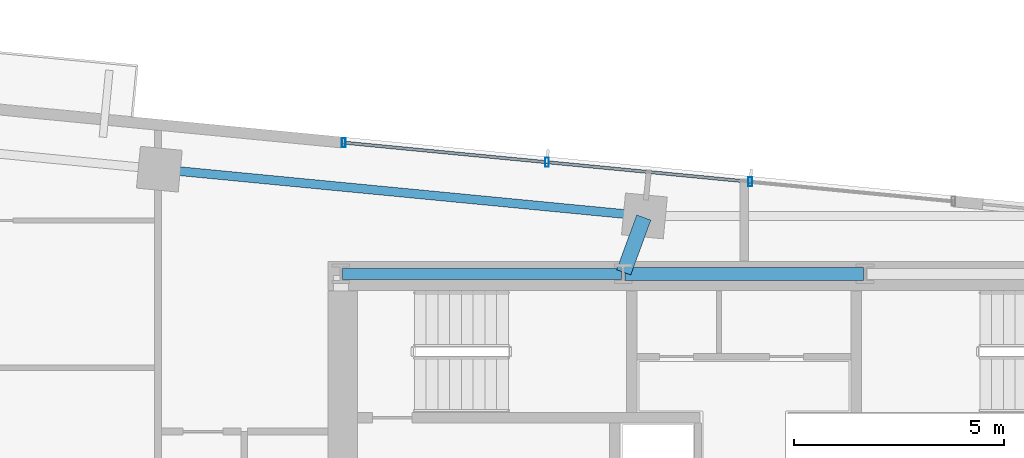
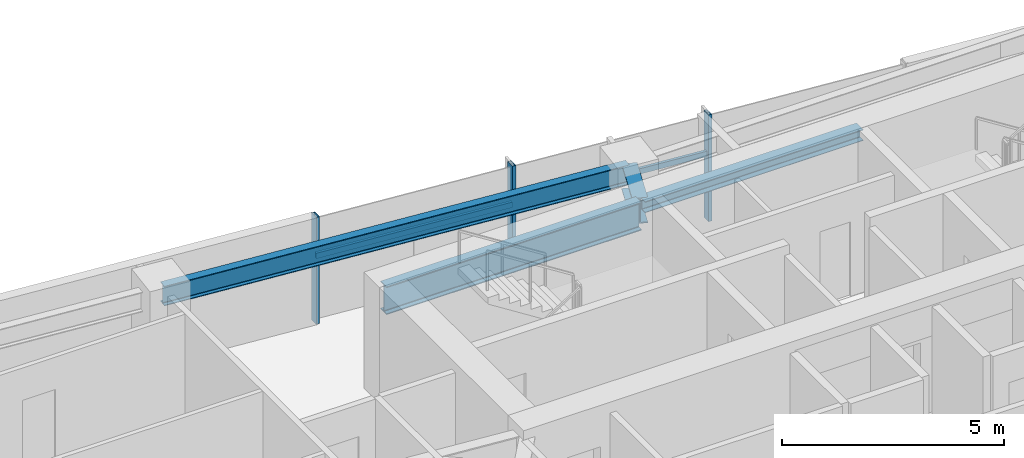
# One storey, part 7 of 19: 5 members, 4 beams, 1 element without a shape of its own.
"""IFC4 building model written with IfcOpenShell, lengths in metres."""

from ifc_helpers import new_model, si_unit, direction, frame, origin, origin_2d, place, context, subcontext, project, spatial, hollow_rectangle, i_section, extrude, source, transform, mapped, material, material_profile, profile_set, type_object, type_shapes, element, aggregate, save


model = new_model("IFC4")

# Units and contexts
model_context = context("Model", 3, precision=1e-05, world=origin(), true_north=direction((0.0, 1.0)))
body_context = subcontext(model_context, "Body", "Model", "MODEL_VIEW")
ifc_project = project(units=[si_unit("LENGTHUNIT", "METRE"), si_unit("AREAUNIT", "SQUARE_METRE"), si_unit("VOLUMEUNIT", "CUBIC_METRE"), si_unit("PLANEANGLEUNIT", "RADIAN"), si_unit("MASSUNIT", "GRAM", prefix="KILO")], contexts=[model_context])

# Site, building, storey
site_placement = place(None, origin())
site = spatial("IfcSite", under=ifc_project, at=site_placement, CompositionType="ELEMENT")
building_placement = place(site_placement, origin())
building = spatial("IfcBuilding", under=site, at=building_placement, Name="Astriad Promenade Condominiums", CompositionType="ELEMENT")
storey_placement = place(building_placement, frame((0.0, 0.0, 140.60009765625)))
storey = spatial("IfcBuildingStorey", under=building, at=storey_placement, Name="L40", CompositionType="ELEMENT", Elevation=140.60009765625)

# Beams
ifc_material_1 = material(Name="Steel ASTM A992 Grade 50", Category="steel")
ifc_material_profile_1 = material_profile(ifc_material_1, i_section(OverallWidth=0.267822265625, OverallDepth=0.76953125, WebThickness=0.015625, FlangeThickness=0.025390625, FilletRadius=0.021484375, at=origin_2d()), Name="W30X132")
ifc_profile_set_1 = profile_set([ifc_material_profile_1], Name="Steel ASTM A992 Grade 50")
beam_type_1 = type_object("IfcBeamType", Name="STEEL FLOOR GIRDER W30X132", PredefinedType="BEAM", material=ifc_profile_set_1)
shared_shape_1 = source(origin(), body_context, "Body", "SweptSolid", [
    extrude(i_section(OverallWidth=0.267822265625, OverallDepth=0.76953125, WebThickness=0.015625, FlangeThickness=0.025390625, FilletRadius=0.021484375, at=origin_2d()), origin(), (0.0, 0.0, 1.0), 6.64013671875),
])
type_shapes(beam_type_1, [shared_shape_1])
beam_1_placement = place(storey_placement, frame((26.43994140625, 24.0, 2.55517578125), z_axis=(1.0, 0.0, 0.0), x_axis=(0.0, 1.0, 0.0)))
element("IfcBeam", 1, at=beam_1_placement, inside=storey, type_object=beam_type_1, Name="Core Ring Beam CG-N1-L40", PredefinedType="BEAM", context=body_context, shape_type="MappedRepresentation", body=[
    mapped(shared_shape_1, transform((0.0, 0.0, 0.0), scale=1.0)),
])
ifc_material_profile_2 = material_profile(ifc_material_1, i_section(OverallWidth=0.3046875, OverallDepth=0.307861328125, WebThickness=0.010009765625, FlangeThickness=0.015380859375, FilletRadius=0.01513671875, at=origin_2d()), Name="W12X65")
ifc_profile_set_2 = profile_set([ifc_material_profile_2], Name="Steel ASTM A992 Grade 50")
beam_type_2 = type_object("IfcBeamType", Name="STEEL OPENING LINTEL W12X65", PredefinedType="LINTEL", material=ifc_profile_set_2)
shared_shape_2 = source(origin(), body_context, "Body", "SweptSolid", [
    extrude(i_section(OverallWidth=0.3046875, OverallDepth=0.307861328125, WebThickness=0.010009765625, FlangeThickness=0.015380859375, FilletRadius=0.01513671875, at=origin_2d()), origin(), (0.0, 0.0, 1.0), 5.68017578125),
])
type_shapes(beam_type_2, [shared_shape_2])
beam_2_placement = place(storey_placement, frame((33.159912109375, 24.0, 2.785888671875), z_axis=(1.0, 0.0, 0.0), x_axis=(0.0, 1.0, 0.0)))
element("IfcBeam", 2, at=beam_2_placement, inside=storey, type_object=beam_type_2, Name="Core Ring Beam CG-N2-L40", PredefinedType="LINTEL", context=body_context, shape_type="MappedRepresentation", body=[
    mapped(shared_shape_2, transform((0.0, 0.0, 0.0), scale=1.0)),
])
ifc_material_profile_3 = material_profile(ifc_material_1, i_section(OverallWidth=0.210693359375, OverallDepth=0.53955078125, WebThickness=0.01171875, FlangeThickness=0.018798828125, FilletRadius=0.0166015625, at=origin_2d()), Name="W21X73")
ifc_profile_set_3 = profile_set([ifc_material_profile_3], Name="Steel ASTM A992 Grade 50")
beam_type_3 = type_object("IfcBeamType", Name="STEEL SPANDREL BEAM W21X73", PredefinedType="SPANDREL", material=ifc_profile_set_3)
shared_shape_3 = source(origin(), body_context, "Body", "SweptSolid", [
    extrude(i_section(OverallWidth=0.210693359375, OverallDepth=0.53955078125, WebThickness=0.01171875, FlangeThickness=0.018798828125, FilletRadius=0.0166015625, at=origin_2d()), origin(), (0.0, 0.0, 1.0), 11.52001953125),
])
type_shapes(beam_type_3, [shared_shape_3])
beam_3_placement = place(storey_placement, frame((33.58642578125, 25.384033203125, 2.670166015625), z_axis=(-0.9953953902, 0.095854145285, 0.0), x_axis=(-0.095854145285, -0.9953953902, 0.0)))
element("IfcBeam", 3, at=beam_3_placement, inside=storey, type_object=beam_type_3, Name="Perimeter Spandrel Beam SP-N2-L40", PredefinedType="SPANDREL", context=body_context, shape_type="MappedRepresentation", body=[
    mapped(shared_shape_3, transform((0.0, 0.0, 0.0), scale=1.0)),
])
ifc_material_profile_4 = material_profile(ifc_material_1, i_section(OverallWidth=0.35791015625, OverallDepth=0.706298828125, WebThickness=0.018310546875, FlangeThickness=0.0302734375, FilletRadius=0.020263671875, at=origin_2d()), Name="W27X178")
ifc_profile_set_4 = profile_set([ifc_material_profile_4], Name="Steel ASTM A992 Grade 50")
beam_type_4 = type_object("IfcBeamType", Name="STEEL FLOOR GIRDER W27X178", PredefinedType="BEAM", material=ifc_profile_set_4)
shared_shape_4 = source(origin(), body_context, "Body", "SweptSolid", [
    extrude(i_section(OverallWidth=0.35791015625, OverallDepth=0.706298828125, WebThickness=0.018310546875, FlangeThickness=0.0302734375, FilletRadius=0.020263671875, at=origin_2d()), origin(), (0.0, 0.0, 1.0), 1.39013671875),
])
type_shapes(beam_type_4, [shared_shape_4])
beam_4_placement = place(storey_placement, frame((33.6123046875, 25.3427734375, 2.586669921875), z_axis=(-0.344223686797, -0.938887668173, 0.0), x_axis=(0.938887668173, -0.344223686797, 0.0)))
element("IfcBeam", 4, at=beam_4_placement, inside=storey, type_object=beam_type_4, Name="Primary Floor Girder PG-NC-L40", PredefinedType="BEAM", context=body_context, shape_type="MappedRepresentation", body=[
    mapped(shared_shape_4, transform((0.0, 0.0, 0.0), scale=1.0)),
])

# Curtain wall, members
ifc_material_2 = material(Name="Anodised aluminium Black Dark Glass Unitised", Category="aluminium")
curtain_wall_type = type_object("IfcCurtainWallType", Name="CW-B34-DARK", PredefinedType="USERDEFINED", material=ifc_material_2)
curtain_wall_placement = place(storey_placement, origin())
curtain_wall = element("IfcCurtainWall", 5, at=curtain_wall_placement, inside=storey, type_object=curtain_wall_type, Name="CW-L40-N", ObjectType="UNITISED_CURTAIN_WALL", PredefinedType="USERDEFINED")
ifc_material_3 = material(Name="Anodised aluminium 6063-T6 Black", Category="aluminium")
ifc_material_profile_5 = material_profile(ifc_material_3, hollow_rectangle(XDim=0.0849609375, YDim=0.219970703125, WallThickness=0.0048828125, at=origin_2d()), Name="ALU-MUL-85X220")
ifc_profile_set_5 = profile_set([ifc_material_profile_5], Name="Anodised aluminium 6063-T6 Black")
member_type_1 = type_object("IfcMemberType", Name="MUL-ALU-MUL-85X220", PredefinedType="MULLION", material=ifc_profile_set_5)
shared_shape_5 = source(origin(), body_context, "Body", "SweptSolid", [
    extrude(hollow_rectangle(XDim=0.0849609375, YDim=0.219970703125, WallThickness=0.0048828125, at=origin_2d()), origin(), (0.0, 0.0, 1.0), 2.93994140625),
])
type_shapes(member_type_1, [shared_shape_5])
member_1_placement = place(storey_placement, frame((26.470458984375, 27.124267578125, 0.0), z_axis=(0.0, 0.0, 1.0), x_axis=(1.0, 0.0, 0.0)))
member_1 = element("IfcMember", 6, at=member_1_placement, type_object=member_type_1, Name="CW-L40-N-MUL-00", PredefinedType="MULLION", context=body_context, shape_type="MappedRepresentation", body=[
    mapped(shared_shape_5, transform((0.0, 0.0, 0.0), scale=1.0)),
])
member_2_placement = place(storey_placement, frame((31.30810546875, 26.658447265625, 0.0), z_axis=(0.0, 0.0, 1.0), x_axis=(1.0, 0.0, 0.0)))
member_2 = element("IfcMember", 7, at=member_2_placement, type_object=member_type_1, Name="CW-L40-N-MUL-01", PredefinedType="MULLION", context=body_context, shape_type="MappedRepresentation", body=[
    mapped(shared_shape_5, transform((0.0, 0.0, 0.0), scale=1.0)),
])
member_3_placement = place(storey_placement, frame((36.145751953125, 26.1923828125, 0.0), z_axis=(0.0, 0.0, 1.0), x_axis=(1.0, 0.0, 0.0)))
member_3 = element("IfcMember", 8, at=member_3_placement, type_object=member_type_1, Name="CW-L40-N-MUL-02", PredefinedType="MULLION", context=body_context, shape_type="MappedRepresentation", body=[
    mapped(shared_shape_5, transform((0.0, 0.0, 0.0), scale=1.0)),
])
ifc_material_profile_6 = material_profile(ifc_material_3, hollow_rectangle(XDim=0.074951171875, YDim=0.14990234375, WallThickness=0.004150390625, at=origin_2d()), Name="ALU-TRN-75X150")
ifc_profile_set_6 = profile_set([ifc_material_profile_6], Name="Anodised aluminium 6063-T6 Black")
member_type_2 = type_object("IfcMemberType", Name="TRN-ALU-TRN-75X150", PredefinedType="USERDEFINED", material=ifc_profile_set_6)
shared_shape_6 = source(origin(), body_context, "Body", "SweptSolid", [
    extrude(hollow_rectangle(XDim=0.074951171875, YDim=0.14990234375, WallThickness=0.004150390625, at=origin_2d()), origin(), (0.0, 0.0, 1.0), 4.860107421875),
])
type_shapes(member_type_2, [shared_shape_6])
member_4_placement = place(storey_placement, frame((26.470458984375, 27.124267578125, 1.82275390625), z_axis=(0.995396042559, -0.095847370639, 0.0), x_axis=(0.095847370639, 0.995396042559, 0.0)))
member_4 = element("IfcMember", 9, at=member_4_placement, type_object=member_type_2, Name="CW-L40-N-TRN-00-0", ObjectType="TRANSOM", PredefinedType="USERDEFINED", context=body_context, shape_type="MappedRepresentation", body=[
    mapped(shared_shape_6, transform((0.0, 0.0, 0.0), scale=1.0)),
])
member_5_placement = place(storey_placement, frame((31.30810546875, 26.658447265625, 1.82275390625), z_axis=(0.995391248663, -0.09589714326, 0.0), x_axis=(0.09589714326, 0.995391248663, 0.0)))
member_5 = element("IfcMember", 10, at=member_5_placement, type_object=member_type_2, Name="CW-L40-N-TRN-01-0", ObjectType="TRANSOM", PredefinedType="USERDEFINED", context=body_context, shape_type="MappedRepresentation", body=[
    mapped(shared_shape_6, transform((0.0, 0.0, 0.0), scale=1.0)),
])
aggregate(curtain_wall, [member_1, member_2, member_3, member_4, member_5])

save(model, "model.ifc")
